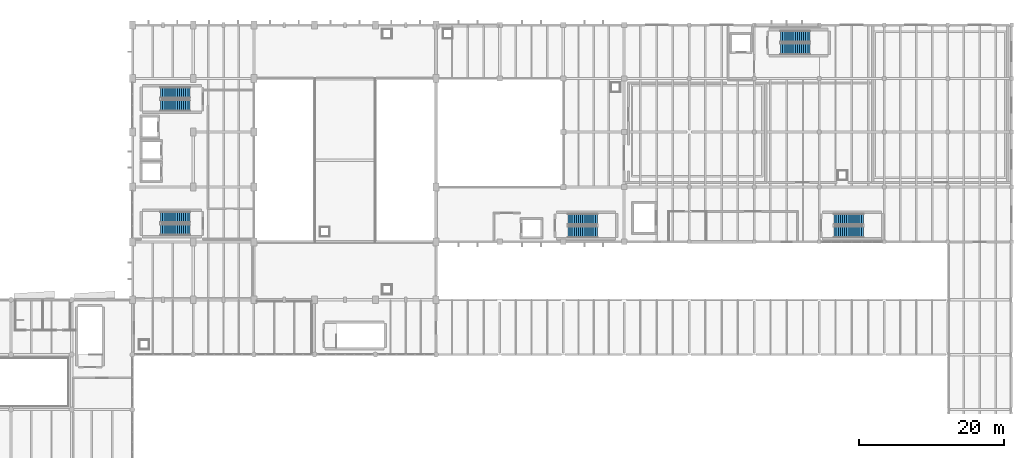
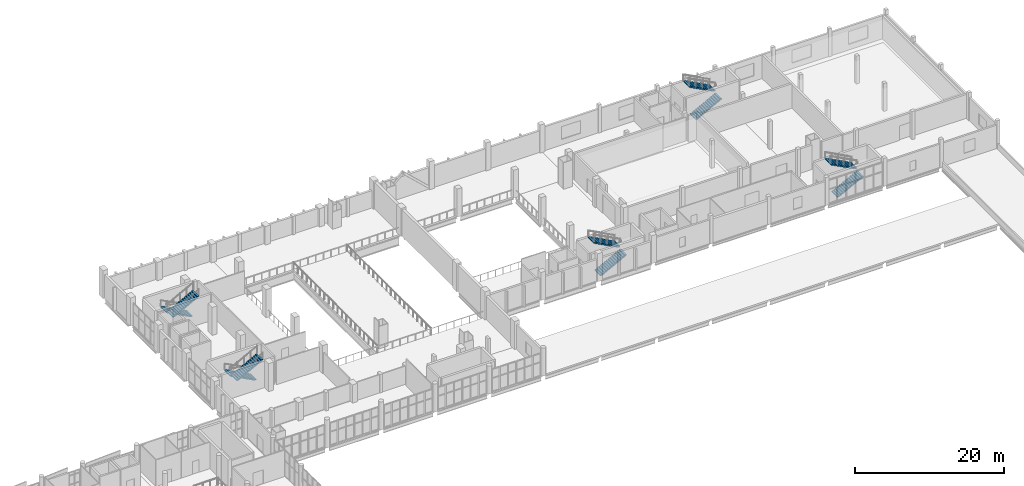
# One storey, part 65 of 74: 10 stair flights, 5 elements without a shape of their own.
"""IFC4 building model written with IfcOpenShell, lengths in metres."""

from ifc_helpers import new_model, si_unit, direction, frame, origin, place, context, subcontext, project, spatial, polyline, outline, extrude, material, layer, layer_set, type_object, element, aggregate, save


model = new_model("IFC4")

# Units and contexts
model_context = context("Model", 3, precision=1e-05, world=origin(), true_north=direction((0.0, 1.0)))
body_context = subcontext(model_context, "Body", "Model", "MODEL_VIEW")
ifc_project = project(units=[si_unit("LENGTHUNIT", "METRE"), si_unit("AREAUNIT", "SQUARE_METRE"), si_unit("VOLUMEUNIT", "CUBIC_METRE"), si_unit("PLANEANGLEUNIT", "RADIAN"), si_unit("MASSUNIT", "GRAM", prefix="KILO")], contexts=[model_context])

# Site, building, storey
site_placement = place(None, origin())
site = spatial("IfcSite", under=ifc_project, at=site_placement, CompositionType="ELEMENT")
building_placement = place(site_placement, origin())
building = spatial("IfcBuilding", under=site, at=building_placement, Name="Shengluoqiao Park Theatre", CompositionType="ELEMENT")
storey_placement = place(building_placement, frame((0.0, 0.0, 14.60009765625)))
storey = spatial("IfcBuildingStorey", under=building, at=storey_placement, Name="L03", CompositionType="ELEMENT", Elevation=14.60009765625)

# Stair, stair flights
ifc_material = material(Name="Concrete C40", Category="concrete")
stair_type = type_object("IfcStairType", Name="INT-STR-CORE", PredefinedType="HALF_TURN_STAIR", material=ifc_material)
stair_1_placement = place(storey_placement, origin())
stair_1 = element("IfcStair", 1, at=stair_1_placement, inside=storey, type_object=stair_type, Name="L03 Auditorium South-West Escape Stair 02", PredefinedType="HALF_TURN_STAIR")
ifc_layer = layer(ifc_material, 0.159912109375, Name="Concrete C40")
ifc_layer_set = layer_set([ifc_layer], Name="Concrete C40")
stair_flight_type = type_object("IfcStairFlightType", Name="INT-SFL-156", PredefinedType="STRAIGHT", material=ifc_layer_set)
stair_flight_1_placement = place(storey_placement, frame((52.35009765625, 87.419921875, 0.0), z_axis=(0.0, 0.0, 1.0), x_axis=(-1.0, 0.0, 0.0)))
stair_flight_1 = element("IfcStairFlight", 2, at=stair_flight_1_placement, type_object=stair_flight_type, Name="ST-02 flight 1", NumberOfRisers=15, NumberOfTreads=14, PredefinedType="STRAIGHT", RiserHeight=0.153333333, TreadLength=0.29, context=body_context, shape_type="SweptSolid", body=[
    extrude(outline(polyline([(0.0, 0.0), (0.0, 0.1533203125), (0.2900390625, 0.1533203125), (0.2900390625, 0.306640625), (0.580078125, 0.306640625), (0.580078125, 0.4599609375), (0.8701171875, 0.4599609375), (0.8701171875, 0.61328125), (1.159912109375, 0.61328125), (1.159912109375, 0.7666015625), (1.449951171875, 0.7666015625), (1.449951171875, 0.919921875), (1.739990234375, 0.919921875), (1.739990234375, 1.0732421875), (2.030029296875, 1.0732421875), (2.030029296875, 1.2265625), (2.320068359375, 1.2265625), (2.320068359375, 1.3798828125), (2.610107421875, 1.3798828125), (2.610107421875, 1.533447265625), (2.89990234375, 1.533447265625), (2.89990234375, 1.686767578125), (3.18994140625, 1.686767578125), (3.18994140625, 1.840087890625), (3.47998046875, 1.840087890625), (3.47998046875, 1.993408203125), (3.77001953125, 1.993408203125), (3.77001953125, 2.146728515625), (4.06005859375, 2.146728515625), (4.06005859375, 2.300048828125), (4.06005859375, 1.97705078125), (0.32080078125, 0.0), (0.0, 0.0)])), frame((0.0, 0.780029296875, 0.0), z_axis=(0.0, -1.0, 0.0), x_axis=(1.0, 0.0, 0.0)), (0.0, 0.0, 1.0), 1.56005859375),
])
stair_flight_2_placement = place(storey_placement, frame((48.2900390625, 85.679931640625, 2.2998046875), z_axis=(0.0, 0.0, 1.0), x_axis=(1.0, 0.0, 0.0)))
stair_flight_2 = element("IfcStairFlight", 3, at=stair_flight_2_placement, type_object=stair_flight_type, Name="ST-02 flight 2", NumberOfRisers=15, NumberOfTreads=14, PredefinedType="STRAIGHT", RiserHeight=0.153333333, TreadLength=0.29, context=body_context, shape_type="SweptSolid", body=[
    extrude(outline(polyline([(0.0, 0.0), (0.0, 0.1533203125), (0.2900390625, 0.1533203125), (0.2900390625, 0.306640625), (0.580078125, 0.306640625), (0.580078125, 0.4599609375), (0.8701171875, 0.4599609375), (0.8701171875, 0.61328125), (1.159912109375, 0.61328125), (1.159912109375, 0.7666015625), (1.449951171875, 0.7666015625), (1.449951171875, 0.919921875), (1.739990234375, 0.919921875), (1.739990234375, 1.0732421875), (2.030029296875, 1.0732421875), (2.030029296875, 1.2265625), (2.320068359375, 1.2265625), (2.320068359375, 1.3798828125), (2.610107421875, 1.3798828125), (2.610107421875, 1.533447265625), (2.89990234375, 1.533447265625), (2.89990234375, 1.686767578125), (3.18994140625, 1.686767578125), (3.18994140625, 1.840087890625), (3.47998046875, 1.840087890625), (3.47998046875, 1.993408203125), (3.77001953125, 1.993408203125), (3.77001953125, 2.146728515625), (4.06005859375, 2.146728515625), (4.06005859375, 2.300048828125), (4.06005859375, 1.97705078125), (0.32080078125, 0.0), (0.0, 0.0)])), frame((0.0, 0.780029296875, 0.0), z_axis=(0.0, -1.0, 0.0), x_axis=(1.0, 0.0, 0.0)), (0.0, 0.0, 1.0), 1.56005859375),
])
aggregate(stair_1, [stair_flight_1, stair_flight_2])

stair_2_placement = place(storey_placement, origin())
stair_2 = element("IfcStair", 4, at=stair_2_placement, inside=storey, type_object=stair_type, Name="L03 Auditorium North-West Escape Stair 03", PredefinedType="HALF_TURN_STAIR")
stair_flight_3_placement = place(storey_placement, frame((52.35009765625, 104.6201171875, 0.0), z_axis=(0.0, 0.0, 1.0), x_axis=(-1.0, 0.0, 0.0)))
stair_flight_3 = element("IfcStairFlight", 5, at=stair_flight_3_placement, type_object=stair_flight_type, Name="ST-03 flight 1", NumberOfRisers=15, NumberOfTreads=14, PredefinedType="STRAIGHT", RiserHeight=0.153333333, TreadLength=0.29, context=body_context, shape_type="SweptSolid", body=[
    extrude(outline(polyline([(0.0, 0.0), (0.0, 0.1533203125), (0.2900390625, 0.1533203125), (0.2900390625, 0.306640625), (0.580078125, 0.306640625), (0.580078125, 0.4599609375), (0.8701171875, 0.4599609375), (0.8701171875, 0.61328125), (1.159912109375, 0.61328125), (1.159912109375, 0.7666015625), (1.449951171875, 0.7666015625), (1.449951171875, 0.919921875), (1.739990234375, 0.919921875), (1.739990234375, 1.0732421875), (2.030029296875, 1.0732421875), (2.030029296875, 1.2265625), (2.320068359375, 1.2265625), (2.320068359375, 1.3798828125), (2.610107421875, 1.3798828125), (2.610107421875, 1.533447265625), (2.89990234375, 1.533447265625), (2.89990234375, 1.686767578125), (3.18994140625, 1.686767578125), (3.18994140625, 1.840087890625), (3.47998046875, 1.840087890625), (3.47998046875, 1.993408203125), (3.77001953125, 1.993408203125), (3.77001953125, 2.146728515625), (4.06005859375, 2.146728515625), (4.06005859375, 2.300048828125), (4.06005859375, 1.97705078125), (0.32080078125, 0.0), (0.0, 0.0)])), frame((0.0, 0.780029296875, 0.0), z_axis=(0.0, -1.0, 0.0), x_axis=(1.0, 0.0, 0.0)), (0.0, 0.0, 1.0), 1.56005859375),
])
stair_flight_4_placement = place(storey_placement, frame((48.2900390625, 102.8798828125, 2.2998046875), z_axis=(0.0, 0.0, 1.0), x_axis=(1.0, 0.0, 0.0)))
stair_flight_4 = element("IfcStairFlight", 6, at=stair_flight_4_placement, type_object=stair_flight_type, Name="ST-03 flight 2", NumberOfRisers=15, NumberOfTreads=14, PredefinedType="STRAIGHT", RiserHeight=0.153333333, TreadLength=0.29, context=body_context, shape_type="SweptSolid", body=[
    extrude(outline(polyline([(0.0, 0.0), (0.0, 0.1533203125), (0.2900390625, 0.1533203125), (0.2900390625, 0.306640625), (0.580078125, 0.306640625), (0.580078125, 0.4599609375), (0.8701171875, 0.4599609375), (0.8701171875, 0.61328125), (1.159912109375, 0.61328125), (1.159912109375, 0.7666015625), (1.449951171875, 0.7666015625), (1.449951171875, 0.919921875), (1.739990234375, 0.919921875), (1.739990234375, 1.0732421875), (2.030029296875, 1.0732421875), (2.030029296875, 1.2265625), (2.320068359375, 1.2265625), (2.320068359375, 1.3798828125), (2.610107421875, 1.3798828125), (2.610107421875, 1.533447265625), (2.89990234375, 1.533447265625), (2.89990234375, 1.686767578125), (3.18994140625, 1.686767578125), (3.18994140625, 1.840087890625), (3.47998046875, 1.840087890625), (3.47998046875, 1.993408203125), (3.77001953125, 1.993408203125), (3.77001953125, 2.146728515625), (4.06005859375, 2.146728515625), (4.06005859375, 2.300048828125), (4.06005859375, 1.97705078125), (0.32080078125, 0.0), (0.0, 0.0)])), frame((0.0, 0.780029296875, 0.0), z_axis=(0.0, -1.0, 0.0), x_axis=(1.0, 0.0, 0.0)), (0.0, 0.0, 1.0), 1.56005859375),
])
aggregate(stair_2, [stair_flight_3, stair_flight_4])

stair_3_placement = place(storey_placement, origin())
stair_3 = element("IfcStair", 7, at=stair_3_placement, inside=storey, type_object=stair_type, Name="L03 Stage and Fly Tower Escape Stair 05", PredefinedType="HALF_TURN_STAIR")
stair_flight_5_placement = place(storey_placement, frame((104.64990234375, 85.3798828125, 0.0), z_axis=(0.0, 0.0, 1.0), x_axis=(1.0, 0.0, 0.0)))
stair_flight_5 = element("IfcStairFlight", 8, at=stair_flight_5_placement, type_object=stair_flight_type, Name="ST-05 flight 1", NumberOfRisers=15, NumberOfTreads=14, PredefinedType="STRAIGHT", RiserHeight=0.153333333, TreadLength=0.29, context=body_context, shape_type="SweptSolid", body=[
    extrude(outline(polyline([(0.0, 0.0), (0.0, 0.1533203125), (0.2900390625, 0.1533203125), (0.2900390625, 0.306640625), (0.580078125, 0.306640625), (0.580078125, 0.4599609375), (0.8701171875, 0.4599609375), (0.8701171875, 0.61328125), (1.159912109375, 0.61328125), (1.159912109375, 0.7666015625), (1.449951171875, 0.7666015625), (1.449951171875, 0.919921875), (1.739990234375, 0.919921875), (1.739990234375, 1.0732421875), (2.030029296875, 1.0732421875), (2.030029296875, 1.2265625), (2.320068359375, 1.2265625), (2.320068359375, 1.3798828125), (2.610107421875, 1.3798828125), (2.610107421875, 1.533447265625), (2.89990234375, 1.533447265625), (2.89990234375, 1.686767578125), (3.18994140625, 1.686767578125), (3.18994140625, 1.840087890625), (3.47998046875, 1.840087890625), (3.47998046875, 1.993408203125), (3.77001953125, 1.993408203125), (3.77001953125, 2.146728515625), (4.06005859375, 2.146728515625), (4.06005859375, 2.300048828125), (4.06005859375, 1.97705078125), (0.32080078125, 0.0), (0.0, 0.0)])), frame((0.0, 0.780029296875, 0.0), z_axis=(0.0, -1.0, 0.0), x_axis=(1.0, 0.0, 0.0)), (0.0, 0.0, 1.0), 1.56005859375),
])
stair_flight_6_placement = place(storey_placement, frame((108.7099609375, 87.1201171875, 2.2998046875), z_axis=(0.0, 0.0, 1.0), x_axis=(-1.0, 0.0, 0.0)))
stair_flight_6 = element("IfcStairFlight", 9, at=stair_flight_6_placement, type_object=stair_flight_type, Name="ST-05 flight 2", NumberOfRisers=15, NumberOfTreads=14, PredefinedType="STRAIGHT", RiserHeight=0.153333333, TreadLength=0.29, context=body_context, shape_type="SweptSolid", body=[
    extrude(outline(polyline([(0.0, 0.0), (0.0, 0.1533203125), (0.2900390625, 0.1533203125), (0.2900390625, 0.306640625), (0.580078125, 0.306640625), (0.580078125, 0.4599609375), (0.8701171875, 0.4599609375), (0.8701171875, 0.61328125), (1.159912109375, 0.61328125), (1.159912109375, 0.7666015625), (1.449951171875, 0.7666015625), (1.449951171875, 0.919921875), (1.739990234375, 0.919921875), (1.739990234375, 1.0732421875), (2.030029296875, 1.0732421875), (2.030029296875, 1.2265625), (2.320068359375, 1.2265625), (2.320068359375, 1.3798828125), (2.610107421875, 1.3798828125), (2.610107421875, 1.533447265625), (2.89990234375, 1.533447265625), (2.89990234375, 1.686767578125), (3.18994140625, 1.686767578125), (3.18994140625, 1.840087890625), (3.47998046875, 1.840087890625), (3.47998046875, 1.993408203125), (3.77001953125, 1.993408203125), (3.77001953125, 2.146728515625), (4.06005859375, 2.146728515625), (4.06005859375, 2.300048828125), (4.06005859375, 1.97705078125), (0.32080078125, 0.0), (0.0, 0.0)])), frame((0.0, 0.780029296875, 0.0), z_axis=(0.0, -1.0, 0.0), x_axis=(1.0, 0.0, 0.0)), (0.0, 0.0, 1.0), 1.56005859375),
])
aggregate(stair_3, [stair_flight_5, stair_flight_6])

stair_4_placement = place(storey_placement, origin())
stair_4 = element("IfcStair", 10, at=stair_4_placement, inside=storey, type_object=stair_type, Name="L03 Backstage and Workshop Escape Stair 06", PredefinedType="HALF_TURN_STAIR")
stair_flight_7_placement = place(storey_placement, frame((134.050048828125, 110.679931640625, 0.0), z_axis=(0.0, 0.0, 1.0), x_axis=(1.0, 0.0, 0.0)))
stair_flight_7 = element("IfcStairFlight", 11, at=stair_flight_7_placement, type_object=stair_flight_type, Name="ST-06 flight 1", NumberOfRisers=15, NumberOfTreads=14, PredefinedType="STRAIGHT", RiserHeight=0.153333333, TreadLength=0.29, context=body_context, shape_type="SweptSolid", body=[
    extrude(outline(polyline([(0.0, 0.0), (0.0, 0.1533203125), (0.2900390625, 0.1533203125), (0.2900390625, 0.306640625), (0.580078125, 0.306640625), (0.580078125, 0.4599609375), (0.8701171875, 0.4599609375), (0.8701171875, 0.61328125), (1.159912109375, 0.61328125), (1.159912109375, 0.7666015625), (1.449951171875, 0.7666015625), (1.449951171875, 0.919921875), (1.739990234375, 0.919921875), (1.739990234375, 1.0732421875), (2.030029296875, 1.0732421875), (2.030029296875, 1.2265625), (2.320068359375, 1.2265625), (2.320068359375, 1.3798828125), (2.610107421875, 1.3798828125), (2.610107421875, 1.533447265625), (2.89990234375, 1.533447265625), (2.89990234375, 1.686767578125), (3.18994140625, 1.686767578125), (3.18994140625, 1.840087890625), (3.47998046875, 1.840087890625), (3.47998046875, 1.993408203125), (3.77001953125, 1.993408203125), (3.77001953125, 2.146728515625), (4.06005859375, 2.146728515625), (4.06005859375, 2.300048828125), (4.06005859375, 1.97705078125), (0.32080078125, 0.0), (0.0, 0.0)])), frame((0.0, 0.780029296875, 0.0), z_axis=(0.0, -1.0, 0.0), x_axis=(1.0, 0.0, 0.0)), (0.0, 0.0, 1.0), 1.56005859375),
])
stair_flight_8_placement = place(storey_placement, frame((138.110107421875, 112.419921875, 2.2998046875), z_axis=(0.0, 0.0, 1.0), x_axis=(-1.0, 0.0, 0.0)))
stair_flight_8 = element("IfcStairFlight", 12, at=stair_flight_8_placement, type_object=stair_flight_type, Name="ST-06 flight 2", NumberOfRisers=15, NumberOfTreads=14, PredefinedType="STRAIGHT", RiserHeight=0.153333333, TreadLength=0.29, context=body_context, shape_type="SweptSolid", body=[
    extrude(outline(polyline([(0.0, 0.0), (0.0, 0.1533203125), (0.2900390625, 0.1533203125), (0.2900390625, 0.306640625), (0.580078125, 0.306640625), (0.580078125, 0.4599609375), (0.8701171875, 0.4599609375), (0.8701171875, 0.61328125), (1.159912109375, 0.61328125), (1.159912109375, 0.7666015625), (1.449951171875, 0.7666015625), (1.449951171875, 0.919921875), (1.739990234375, 0.919921875), (1.739990234375, 1.0732421875), (2.030029296875, 1.0732421875), (2.030029296875, 1.2265625), (2.320068359375, 1.2265625), (2.320068359375, 1.3798828125), (2.610107421875, 1.3798828125), (2.610107421875, 1.533447265625), (2.89990234375, 1.533447265625), (2.89990234375, 1.686767578125), (3.18994140625, 1.686767578125), (3.18994140625, 1.840087890625), (3.47998046875, 1.840087890625), (3.47998046875, 1.993408203125), (3.77001953125, 1.993408203125), (3.77001953125, 2.146728515625), (4.06005859375, 2.146728515625), (4.06005859375, 2.300048828125), (4.06005859375, 1.97705078125), (0.32080078125, 0.0), (0.0, 0.0)])), frame((0.0, 0.780029296875, 0.0), z_axis=(0.0, -1.0, 0.0), x_axis=(1.0, 0.0, 0.0)), (0.0, 0.0, 1.0), 1.56005859375),
])
aggregate(stair_4, [stair_flight_7, stair_flight_8])

stair_5_placement = place(storey_placement, origin())
stair_5 = element("IfcStair", 13, at=stair_5_placement, inside=storey, type_object=stair_type, Name="L03 Upper Backstage Escape Stair 10", PredefinedType="HALF_TURN_STAIR")
stair_flight_9_placement = place(storey_placement, frame((141.449951171875, 85.3798828125, 0.0), z_axis=(0.0, 0.0, 1.0), x_axis=(1.0, 0.0, 0.0)))
stair_flight_9 = element("IfcStairFlight", 14, at=stair_flight_9_placement, type_object=stair_flight_type, Name="ST-10 flight 1", NumberOfRisers=15, NumberOfTreads=14, PredefinedType="STRAIGHT", RiserHeight=0.153333333, TreadLength=0.29, context=body_context, shape_type="SweptSolid", body=[
    extrude(outline(polyline([(0.0, 0.0), (0.0, 0.1533203125), (0.2900390625, 0.1533203125), (0.2900390625, 0.306640625), (0.580078125, 0.306640625), (0.580078125, 0.4599609375), (0.8701171875, 0.4599609375), (0.8701171875, 0.61328125), (1.159912109375, 0.61328125), (1.159912109375, 0.7666015625), (1.449951171875, 0.7666015625), (1.449951171875, 0.919921875), (1.739990234375, 0.919921875), (1.739990234375, 1.0732421875), (2.030029296875, 1.0732421875), (2.030029296875, 1.2265625), (2.320068359375, 1.2265625), (2.320068359375, 1.3798828125), (2.610107421875, 1.3798828125), (2.610107421875, 1.533447265625), (2.89990234375, 1.533447265625), (2.89990234375, 1.686767578125), (3.18994140625, 1.686767578125), (3.18994140625, 1.840087890625), (3.47998046875, 1.840087890625), (3.47998046875, 1.993408203125), (3.77001953125, 1.993408203125), (3.77001953125, 2.146728515625), (4.06005859375, 2.146728515625), (4.06005859375, 2.300048828125), (4.06005859375, 1.97705078125), (0.32080078125, 0.0), (0.0, 0.0)])), frame((0.0, 0.780029296875, 0.0), z_axis=(0.0, -1.0, 0.0), x_axis=(1.0, 0.0, 0.0)), (0.0, 0.0, 1.0), 1.56005859375),
])
stair_flight_10_placement = place(storey_placement, frame((145.510009765625, 87.1201171875, 2.2998046875), z_axis=(0.0, 0.0, 1.0), x_axis=(-1.0, 0.0, 0.0)))
stair_flight_10 = element("IfcStairFlight", 15, at=stair_flight_10_placement, type_object=stair_flight_type, Name="ST-10 flight 2", NumberOfRisers=15, NumberOfTreads=14, PredefinedType="STRAIGHT", RiserHeight=0.153333333, TreadLength=0.29, context=body_context, shape_type="SweptSolid", body=[
    extrude(outline(polyline([(0.0, 0.0), (0.0, 0.1533203125), (0.2900390625, 0.1533203125), (0.2900390625, 0.306640625), (0.580078125, 0.306640625), (0.580078125, 0.4599609375), (0.8701171875, 0.4599609375), (0.8701171875, 0.61328125), (1.159912109375, 0.61328125), (1.159912109375, 0.7666015625), (1.449951171875, 0.7666015625), (1.449951171875, 0.919921875), (1.739990234375, 0.919921875), (1.739990234375, 1.0732421875), (2.030029296875, 1.0732421875), (2.030029296875, 1.2265625), (2.320068359375, 1.2265625), (2.320068359375, 1.3798828125), (2.610107421875, 1.3798828125), (2.610107421875, 1.533447265625), (2.89990234375, 1.533447265625), (2.89990234375, 1.686767578125), (3.18994140625, 1.686767578125), (3.18994140625, 1.840087890625), (3.47998046875, 1.840087890625), (3.47998046875, 1.993408203125), (3.77001953125, 1.993408203125), (3.77001953125, 2.146728515625), (4.06005859375, 2.146728515625), (4.06005859375, 2.300048828125), (4.06005859375, 1.97705078125), (0.32080078125, 0.0), (0.0, 0.0)])), frame((0.0, 0.780029296875, 0.0), z_axis=(0.0, -1.0, 0.0), x_axis=(1.0, 0.0, 0.0)), (0.0, 0.0, 1.0), 1.56005859375),
])
aggregate(stair_5, [stair_flight_9, stair_flight_10])

save(model, "model.ifc")
